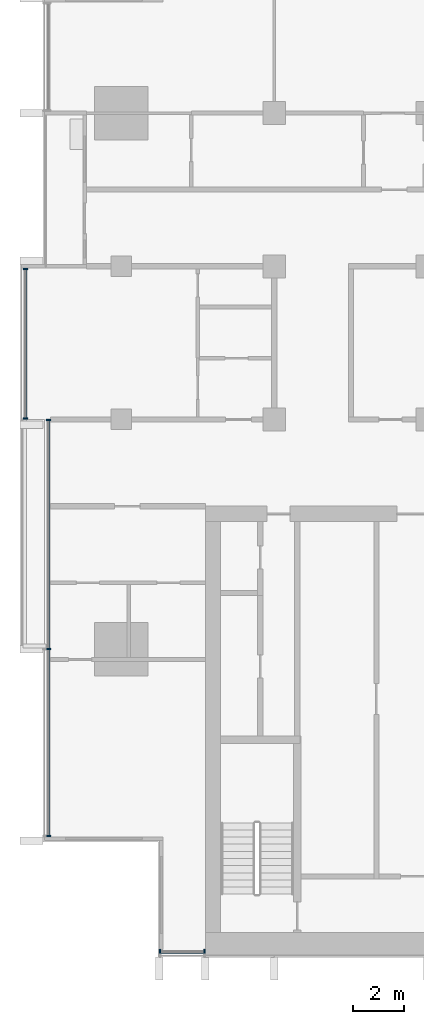
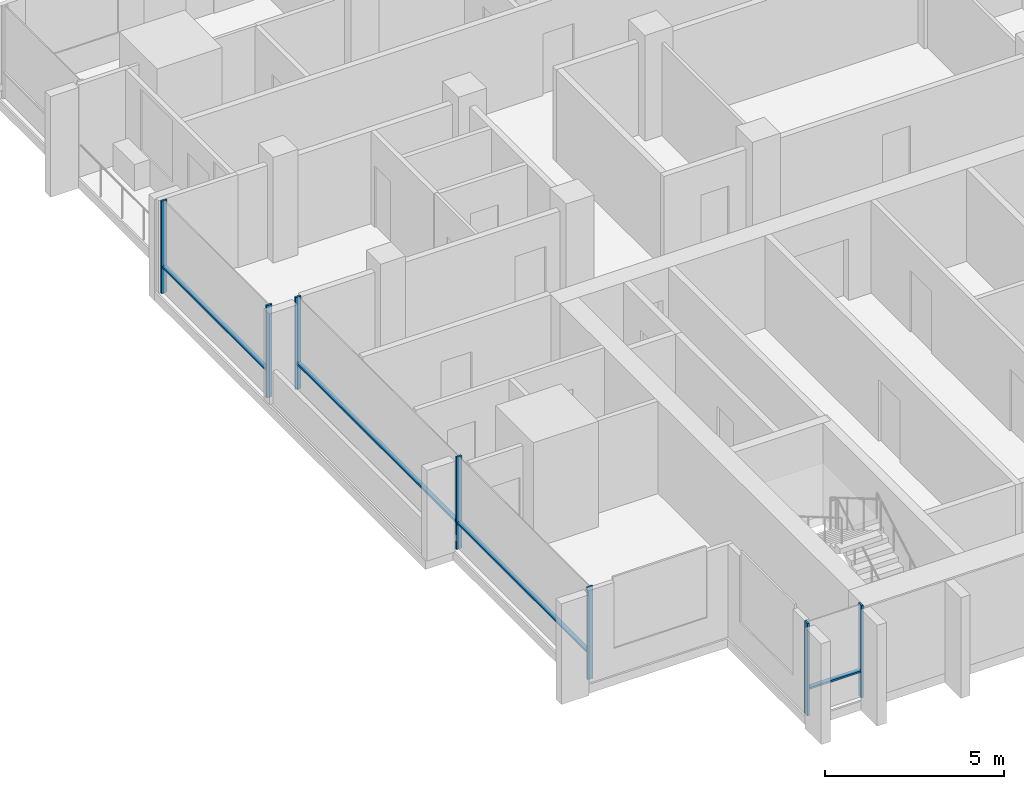
# One storey, part 2 of 16: 11 members, 3 elements without a shape of their own.
"""IFC4 building model written with IfcOpenShell, lengths in metres."""

from ifc_helpers import new_model, si_unit, direction, frame, origin, origin_2d, place, context, subcontext, project, spatial, rectangle, extrude, material, material_profile, profile_set, type_object, element, aggregate, save


model = new_model("IFC4")

# Units and contexts
model_context = context("Model", 3, precision=1e-05, world=origin(), true_north=direction((0.0, 1.0)))
body_context = subcontext(model_context, "Body", "Model", "MODEL_VIEW")
ifc_project = project(units=[si_unit("LENGTHUNIT", "METRE"), si_unit("AREAUNIT", "SQUARE_METRE"), si_unit("VOLUMEUNIT", "CUBIC_METRE"), si_unit("PLANEANGLEUNIT", "RADIAN"), si_unit("MASSUNIT", "GRAM", prefix="KILO")], contexts=[model_context])

# Site, building, storey
site_placement = place(None, origin())
site = spatial("IfcSite", under=ifc_project, at=site_placement, CompositionType="ELEMENT")
building_placement = place(site_placement, origin())
building = spatial("IfcBuilding", under=site, at=building_placement, Name="Finial Court Residences", CompositionType="ELEMENT")
storey_placement = place(building_placement, frame((0.0, 0.0, 244.699951171875)))
storey = spatial("IfcBuildingStorey", under=building, at=storey_placement, Name="L62", CompositionType="ELEMENT", Elevation=244.699951171875)

# Curtain wall, members
ifc_material = material(Name="Bronze anodised aluminium", Category="aluminium")
curtain_wall_type = type_object("IfcCurtainWallType", Name="Unitised curtain wall, upper zones", PredefinedType="NOTDEFINED", material=ifc_material)
curtain_wall_1_placement = place(storey_placement, origin())
curtain_wall_1 = element("IfcCurtainWall", 1, at=curtain_wall_1_placement, inside=storey, type_object=curtain_wall_type, Name="E-L62-CW-S7", PredefinedType="NOTDEFINED")
ifc_material_profile_1 = material_profile(ifc_material, rectangle(XDim=0.175048828125, YDim=0.06005859375, at=origin_2d()), Name="CW2 mullion 60 x 175")
ifc_profile_set_1 = profile_set([ifc_material_profile_1], Name="Bronze anodised aluminium")
member_type_1 = type_object("IfcMemberType", Name="CW2 mullion 60 x 175", PredefinedType="MULLION", material=ifc_profile_set_1)
member_1_placement = place(storey_placement, frame((-14.969970703125, -25.35009765625, 0.0), z_axis=(0.0, 0.0, 1.0), x_axis=(0.0, 1.0, 0.0)))
member_1 = element("IfcMember", 2, at=member_1_placement, type_object=member_type_1, Name="CW2 mullion 1", PredefinedType="MULLION", context=body_context, shape_type="SweptSolid", body=[
    extrude(rectangle(XDim=0.175048828125, YDim=0.06005859375, at=origin_2d()), origin(), (0.0, 0.0, 1.0), 3.150146484375),
])
member_2_placement = place(storey_placement, frame((-13.22998046875, -25.35009765625, 0.0), z_axis=(0.0, 0.0, 1.0), x_axis=(0.0, 1.0, 0.0)))
member_2 = element("IfcMember", 3, at=member_2_placement, type_object=member_type_1, Name="CW2 mullion 2", PredefinedType="MULLION", context=body_context, shape_type="SweptSolid", body=[
    extrude(rectangle(XDim=0.175048828125, YDim=0.06005859375, at=origin_2d()), origin(), (0.0, 0.0, 1.0), 3.150146484375),
])

curtain_wall_2_placement = place(storey_placement, origin())
curtain_wall_2 = element("IfcCurtainWall", 4, at=curtain_wall_2_placement, inside=storey, type_object=curtain_wall_type, Name="E-L62-CW-W9", PredefinedType="NOTDEFINED")
member_3_placement = place(storey_placement, frame((-19.35009765625, -20.820068359375, 0.0), z_axis=(0.0, 0.0, 1.0), x_axis=(-1.0, 0.0, 0.0)))
member_3 = element("IfcMember", 5, at=member_3_placement, type_object=member_type_1, Name="CW2 mullion 1", PredefinedType="MULLION", context=body_context, shape_type="SweptSolid", body=[
    extrude(rectangle(XDim=0.175048828125, YDim=0.06005859375, at=origin_2d()), origin(), (0.0, 0.0, 1.0), 3.150146484375),
])
member_4_placement = place(storey_placement, frame((-19.35009765625, -13.5, 0.0), z_axis=(0.0, 0.0, 1.0), x_axis=(-1.0, 0.0, 0.0)))
member_4 = element("IfcMember", 6, at=member_4_placement, type_object=member_type_1, Name="CW2 mullion 2", PredefinedType="MULLION", context=body_context, shape_type="SweptSolid", body=[
    extrude(rectangle(XDim=0.175048828125, YDim=0.06005859375, at=origin_2d()), origin(), (0.0, 0.0, 1.0), 3.150146484375),
])
member_5_placement = place(storey_placement, frame((-19.35009765625, -4.530029296875, 0.0), z_axis=(0.0, 0.0, 1.0), x_axis=(-1.0, 0.0, 0.0)))
member_5 = element("IfcMember", 7, at=member_5_placement, type_object=member_type_1, Name="CW2 mullion 3", PredefinedType="MULLION", context=body_context, shape_type="SweptSolid", body=[
    extrude(rectangle(XDim=0.175048828125, YDim=0.06005859375, at=origin_2d()), origin(), (0.0, 0.0, 1.0), 3.150146484375),
])

curtain_wall_3_placement = place(storey_placement, origin())
curtain_wall_3 = element("IfcCurtainWall", 8, at=curtain_wall_3_placement, inside=storey, type_object=curtain_wall_type, Name="E-L62-CW-W10", PredefinedType="NOTDEFINED")
member_6_placement = place(storey_placement, frame((-20.25, -4.469970703125, 0.0), z_axis=(0.0, 0.0, 1.0), x_axis=(-1.0, 0.0, 0.0)))
member_6 = element("IfcMember", 9, at=member_6_placement, type_object=member_type_1, Name="CW2 mullion 1", PredefinedType="MULLION", context=body_context, shape_type="SweptSolid", body=[
    extrude(rectangle(XDim=0.175048828125, YDim=0.06005859375, at=origin_2d()), origin(), (0.0, 0.0, 1.0), 3.150146484375),
])
member_7_placement = place(storey_placement, frame((-20.25, 1.39501953125, 0.0), z_axis=(0.0, 0.0, 1.0), x_axis=(-1.0, 0.0, 0.0)))
member_7 = element("IfcMember", 10, at=member_7_placement, type_object=member_type_1, Name="CW2 mullion 2", PredefinedType="MULLION", context=body_context, shape_type="SweptSolid", body=[
    extrude(rectangle(XDim=0.175048828125, YDim=0.06005859375, at=origin_2d()), origin(), (0.0, 0.0, 1.0), 3.150146484375),
])

# Member
ifc_material_profile_2 = material_profile(ifc_material, rectangle(XDim=0.139892578125, YDim=0.06005859375, at=origin_2d()), Name="CW2 transom 60 x 140")
ifc_profile_set_2 = profile_set([ifc_material_profile_2], Name="Bronze anodised aluminium")
member_type_2 = type_object("IfcMemberType", Name="CW2 transom 60 x 140", PredefinedType="USERDEFINED", material=ifc_profile_set_2)
member_8_placement = place(storey_placement, frame((-14.93994140625, -25.35009765625, 0.900146484375), z_axis=(1.0, 0.0, 0.0), x_axis=(0.0, 1.0, 0.0)))
member_8 = element("IfcMember", 11, at=member_8_placement, type_object=member_type_2, Name="CW2 transom 1.1", ObjectType="TRANSOM", PredefinedType="USERDEFINED", context=body_context, shape_type="SweptSolid", body=[
    extrude(rectangle(XDim=0.139892578125, YDim=0.06005859375, at=origin_2d()), origin(), (0.0, 0.0, 1.0), 1.679931640625),
])

aggregate(curtain_wall_1, [member_1, member_2, member_8])

member_9_placement = place(storey_placement, frame((-19.35009765625, -20.7900390625, 0.900146484375), z_axis=(0.0, 1.0, 0.0), x_axis=(-1.0, 0.0, 0.0)))
member_9 = element("IfcMember", 12, at=member_9_placement, type_object=member_type_2, Name="CW2 transom 1.1", ObjectType="TRANSOM", PredefinedType="USERDEFINED", context=body_context, shape_type="SweptSolid", body=[
    extrude(rectangle(XDim=0.139892578125, YDim=0.06005859375, at=origin_2d()), origin(), (0.0, 0.0, 1.0), 7.260009765625),
])

member_10_placement = place(storey_placement, frame((-19.35009765625, -13.469970703125, 0.900146484375), z_axis=(0.0, 1.0, 0.0), x_axis=(-1.0, 0.0, 0.0)))
member_10 = element("IfcMember", 13, at=member_10_placement, type_object=member_type_2, Name="CW2 transom 2.1", ObjectType="TRANSOM", PredefinedType="USERDEFINED", context=body_context, shape_type="SweptSolid", body=[
    extrude(rectangle(XDim=0.139892578125, YDim=0.06005859375, at=origin_2d()), origin(), (0.0, 0.0, 1.0), 8.909912109375),
])

aggregate(curtain_wall_2, [member_3, member_4, member_5, member_9, member_10])

member_11_placement = place(storey_placement, frame((-20.25, -4.43994140625, 0.900146484375), z_axis=(0.0, 1.0, 0.0), x_axis=(-1.0, 0.0, 0.0)))
member_11 = element("IfcMember", 14, at=member_11_placement, type_object=member_type_2, Name="CW2 transom 1.1", ObjectType="TRANSOM", PredefinedType="USERDEFINED", context=body_context, shape_type="SweptSolid", body=[
    extrude(rectangle(XDim=0.139892578125, YDim=0.06005859375, at=origin_2d()), origin(), (0.0, 0.0, 1.0), 5.804931640625),
])

aggregate(curtain_wall_3, [member_6, member_7, member_11])

save(model, "model.ifc")
